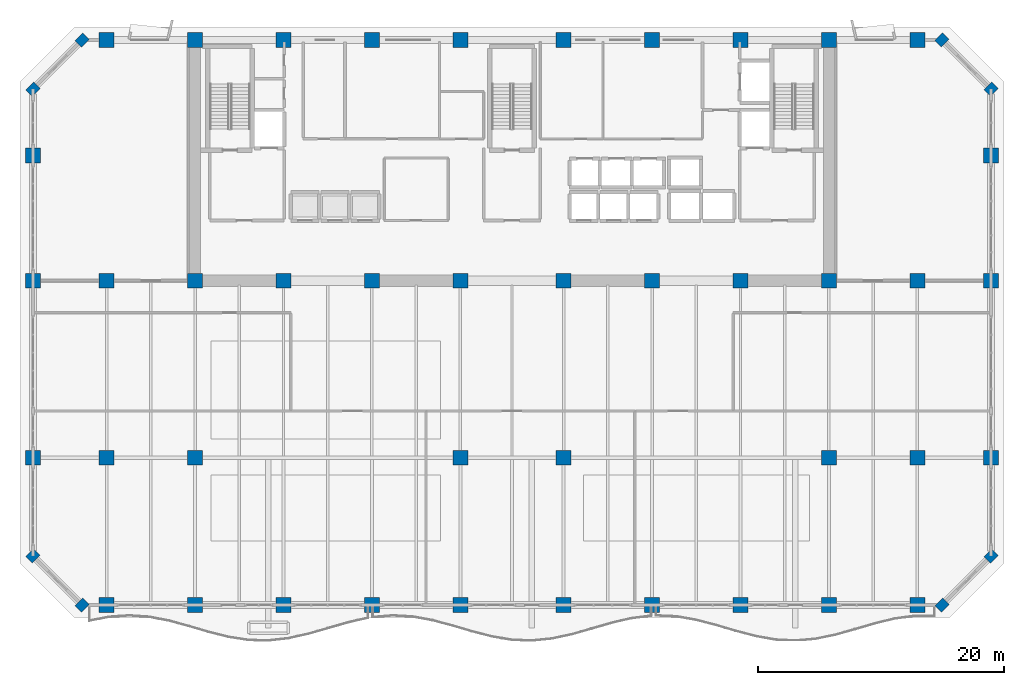
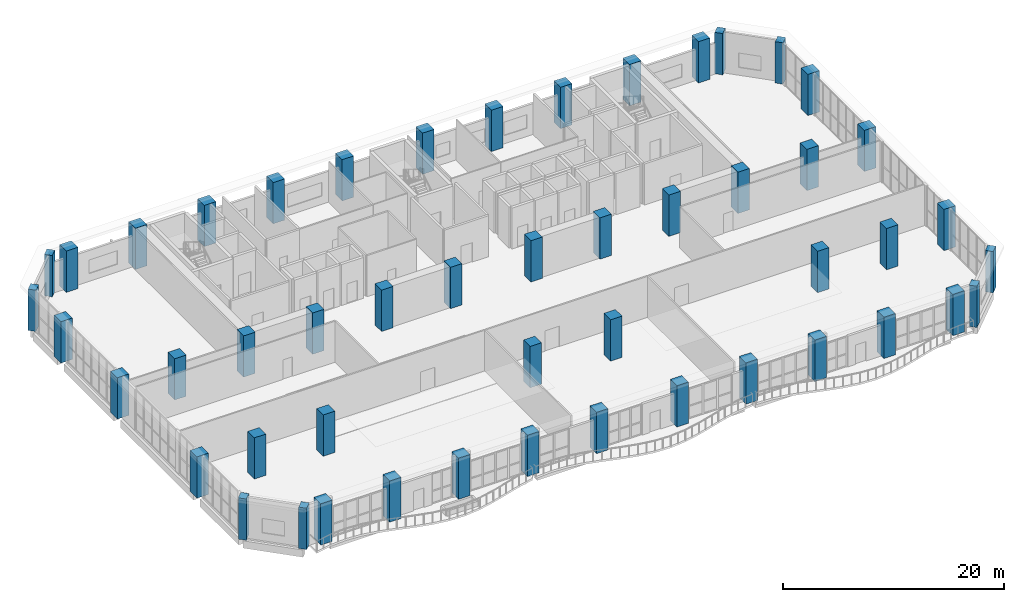
# One storey, part 1 of 37: 50 columns.
"""IFC4 building model written with IfcOpenShell, lengths in metres."""

import ifcopenshell
import ifcopenshell.guid

model = None  # the IFC model being written
_history = None  # IfcOwnerHistory: only IFC2X3 demands one
_inside = {}  # id of a spatial element -> (the spatial element, [elements in it])
_under = {}  # id of a project, library or spatial element -> (it, [spatial elements below it])
_declared = {}  # id of a project -> (the project, [libraries it declares])
_typed = {}  # id of a type object -> (the type object, [elements of that type])
_made_of = {}  # id of a material, layer set ... -> (it, [elements and type objects made of it])


def new_model(schema):
    """Start an empty IFC model of exactly this schema.

    Asked for "IFC4X3", IfcOpenShell would pick the latest addendum, in which some entities
    have other attributes; the version numbers below select the first issue.
    IFC2X3 requires an IfcOwnerHistory on every rooted entity: one is made here for all.
    """
    global model, _history
    if schema == "IFC4X3":
        model = ifcopenshell.file(schema_version=(4, 3, 0, 0))
    else:
        model = ifcopenshell.file(schema=schema)
    _inside.clear()
    _under.clear()
    _declared.clear()
    _typed.clear()
    _made_of.clear()
    _history = None
    if model.schema == "IFC2X3":
        org = make("IfcOrganization", Name="unknown")
        user = make(
            "IfcPersonAndOrganization",
            ThePerson=make("IfcPerson", FamilyName="unknown"),
            TheOrganization=org,
        )
        app = make(
            "IfcApplication",
            ApplicationDeveloper=org,
            Version="unknown",
            ApplicationFullName="unknown",
            ApplicationIdentifier="unknown",
        )
        _history = make(
            "IfcOwnerHistory",
            OwningUser=user,
            OwningApplication=app,
            ChangeAction="ADDED",
            CreationDate=0,
        )
    return model


def make(cls, **values):
    """One entity of the class cls with the attributes given. An attribute that is None is left unset."""
    return model.create_entity(
        cls, **{name: value for name, value in values.items() if value is not None}
    )


def rooted(cls, **values):
    """An entity with a GlobalId (a new one), such as an element, a storey or a relation."""
    return make(cls, GlobalId=ifcopenshell.guid.new(), OwnerHistory=_history, **values)


def si_unit(unit_type, name, prefix=None):
    """IfcSIUnit, for example si_unit("LENGTHUNIT", "METRE", prefix="MILLI")."""
    return make("IfcSIUnit", UnitType=unit_type, Prefix=prefix, Name=name)


def assignment(units):
    """IfcUnitAssignment: the units of a project."""
    return None if units is None else make("IfcUnitAssignment", Units=units)


def point(xyz):
    """IfcCartesianPoint."""
    return None if xyz is None else make("IfcCartesianPoint", Coordinates=xyz)


def direction(xyz):
    """IfcDirection."""
    return None if xyz is None else make("IfcDirection", DirectionRatios=xyz)


def frame(location, z_axis=None, x_axis=None):
    """IfcAxis2Placement3D, a coordinate frame: its origin and axes. An axis left out is left unset."""
    return make(
        "IfcAxis2Placement3D",
        Location=point(location),
        Axis=direction(z_axis),
        RefDirection=direction(x_axis),
    )


def frame_2d(location, x_axis=None):
    """IfcAxis2Placement2D, a coordinate frame in the plane: its origin and x axis."""
    return make(
        "IfcAxis2Placement2D", Location=point(location), RefDirection=direction(x_axis)
    )


def origin():
    """The frame at (0, 0, 0) with its axes left unset."""
    return frame((0.0, 0.0, 0.0))


def origin_2d():
    """The frame at (0, 0) in the plane with its x axis left unset."""
    return frame_2d((0.0, 0.0))


def place(relative_to, where):
    """IfcLocalPlacement: puts the frame where relative to a parent placement (None: the world)."""
    return make(
        "IfcLocalPlacement", PlacementRelTo=relative_to, RelativePlacement=where
    )


def context(
    kind, dimensions, precision=None, world=None, true_north=None, identifier=None
):
    """IfcGeometricRepresentationContext, for example the 3D "Model" context."""
    return make(
        "IfcGeometricRepresentationContext",
        ContextIdentifier=identifier,
        ContextType=kind,
        CoordinateSpaceDimension=dimensions,
        Precision=precision,
        WorldCoordinateSystem=world,
        TrueNorth=true_north,
    )


def subcontext(parent, identifier, kind, view, scale=None):
    """IfcGeometricRepresentationSubContext, for example "Body" below "Model"."""
    return make(
        "IfcGeometricRepresentationSubContext",
        ContextIdentifier=identifier,
        ContextType=kind,
        ParentContext=parent,
        TargetScale=scale,
        TargetView=view,
    )


def project(units=None, contexts=None):
    """IfcProject with its units and contexts."""
    return rooted(
        "IfcProject",
        Name="project",
        RepresentationContexts=contexts,
        UnitsInContext=assignment(units),
    )


def spatial(cls, under=None, at=None, **own):
    """A site, building, storey or space (cls), placed at a placement, below another one or the project."""
    s = rooted(cls, ObjectPlacement=at, **own)
    if under is not None:
        _under.setdefault(under.id(), (under, []))[1].append(s)
    return s


def profile(cls, at=None, kind="AREA", **sizes):
    """A parametric profile (cls). Its sizes go by their IFC names, for example OverallWidth=200.0."""
    return make(cls, ProfileType=kind, Position=at, **sizes)


def rectangle(**sizes):
    """IfcRectangleProfileDef."""
    return profile("IfcRectangleProfileDef", **sizes)


def extrude(swept, where, along, depth):
    """IfcExtrudedAreaSolid: the profile swept, set in the frame where, extruded along a direction by depth."""
    return make(
        "IfcExtrudedAreaSolid",
        SweptArea=swept,
        Position=where,
        ExtrudedDirection=direction(along),
        Depth=depth,
    )


def shape(context_of_items, identifier, shape_type, items):
    """IfcShapeRepresentation: the items that make up one representation, for example the "Body"."""
    return make(
        "IfcShapeRepresentation",
        ContextOfItems=context_of_items,
        RepresentationIdentifier=identifier,
        RepresentationType=shape_type,
        Items=items,
    )


def material(Name=None, Category=None):
    """IfcMaterial."""
    return make("IfcMaterial", Name=Name, Category=Category)


def material_profile(
    of_material, cross_section, Name=None, Category=None, Priority=None
):
    """IfcMaterialProfile: a cross section and its material."""
    return make(
        "IfcMaterialProfile",
        Name=Name,
        Material=of_material,
        Profile=cross_section,
        Priority=Priority,
        Category=Category,
    )


def profile_set(profiles, Name=None, composite=None):
    """IfcMaterialProfileSet."""
    return make(
        "IfcMaterialProfileSet",
        Name=Name,
        MaterialProfiles=profiles,
        CompositeProfile=composite,
    )


def made_of(thing, what):
    """Note that an element or type object is made of a material, layer set ...; save() writes the relation."""
    if what is not None:
        _made_of.setdefault(what.id(), (what, []))[1].append(thing)
    return thing


def type_object(cls, material=None, **own):
    """A type object (cls), such as IfcWallType, which elements share."""
    return made_of(rooted(cls, **own), material)


def element(
    cls,
    number,
    at=None,
    inside=None,
    cuts=None,
    type_object=None,
    material=None,
    context=None,
    identifier="Body",
    shape_type=None,
    held_by="IfcProductDefinitionShape",
    body=None,
    shapes=None,
    **own,
):
    """One element of the class cls, such as IfcWall. Its Tag is "e" and its number.

    at: its placement. inside: the storey or other place that contains it. cuts: it is an
    opening in that element (IfcRelVoidsElement). A single representation is given by context,
    identifier, shape_type and body (its items); several are given by shapes. held_by: the class
    of the entity that holds the representations. save() writes the other relations.
    """
    e = rooted(cls, Tag="e%d" % number, ObjectPlacement=at, **own)
    if body is not None:
        shapes = [shape(context, identifier, shape_type, body)]
    if shapes is not None:
        e.Representation = make(held_by, Representations=shapes)
    if inside is not None:
        _inside.setdefault(inside.id(), (inside, []))[1].append(e)
    if cuts is not None:
        rooted(
            "IfcRelVoidsElement", RelatingBuildingElement=cuts, RelatedOpeningElement=e
        )
    if type_object is not None:
        _typed.setdefault(type_object.id(), (type_object, []))[1].append(e)
    return made_of(e, material)


def aggregate(whole, parts):
    """IfcRelAggregates: a whole, such as a stair, and the parts it consists of."""
    return rooted("IfcRelAggregates", RelatingObject=whole, RelatedObjects=parts)


def save(model, path):
    """Write the relations noted so far, then the file.

    IfcRelAggregates (storeys below a building ...), IfcRelContainedInSpatialStructure (elements
    in a storey), IfcRelDefinesByType, IfcRelAssociatesMaterial and IfcRelDeclares: one each for
    every whole, place, type object, material and project.
    """
    for whole, parts in _under.values():
        aggregate(whole, parts)
    for where, things in _inside.values():
        rooted(
            "IfcRelContainedInSpatialStructure",
            RelatedElements=things,
            RelatingStructure=where,
        )
    for kind, things in _typed.values():
        rooted("IfcRelDefinesByType", RelatedObjects=things, RelatingType=kind)
    for what, things in _made_of.values():
        rooted("IfcRelAssociatesMaterial", RelatedObjects=things, RelatingMaterial=what)
    for by, libraries in _declared.values():
        rooted("IfcRelDeclares", RelatingContext=by, RelatedDefinitions=libraries)
    model.write(path)


model = new_model("IFC4")

# Units and contexts
model_context = context("Model", 3, precision=1e-05, world=origin(), true_north=direction((0.0, 1.0)))
body_context = subcontext(model_context, "Body", "Model", "MODEL_VIEW")
ifc_project = project(units=[si_unit("LENGTHUNIT", "METRE"), si_unit("AREAUNIT", "SQUARE_METRE"), si_unit("VOLUMEUNIT", "CUBIC_METRE"), si_unit("PLANEANGLEUNIT", "RADIAN"), si_unit("MASSUNIT", "GRAM", prefix="KILO")], contexts=[model_context])

# Site, building, storey
site_placement = place(None, origin())
site = spatial("IfcSite", under=ifc_project, at=site_placement, CompositionType="ELEMENT")
building_placement = place(site_placement, origin())
building = spatial("IfcBuilding", under=site, at=building_placement, Name="Kaelvorn Grand Hotel", CompositionType="ELEMENT")
storey_placement = place(building_placement, frame((0.0, 0.0, 224.35009765625)))
storey = spatial("IfcBuildingStorey", under=building, at=storey_placement, Name="L55", CompositionType="ELEMENT", Elevation=224.35009765625)

# Columns
ifc_material = material(Name="Concrete C60/75", Category="concrete")
ifc_material_profile_1 = material_profile(ifc_material, rectangle(XDim=0.89990234375, YDim=0.75, at=origin_2d()), Name="RC PILASTER 900x750")
ifc_profile_set_1 = profile_set([ifc_material_profile_1], Name="Concrete C60/75")
column_type_1 = type_object("IfcColumnType", Name="COL-PIL-900x750-C60", PredefinedType="PILASTER", material=ifc_profile_set_1)
for number, where, z_axis, x_axis, name in (
    (1, (7.0, 3.0, 0.0), (0.0, 0.0, 1.0), (0.707106781187, 0.707106781187, 0.0), "L55 Structural Column CH-01"),
    (2, (77.0, 3.0, 0.0), (0.0, 0.0, 1.0), (0.707106781187, 0.707106781187, 0.0), "L55 Structural Column CH-02"),
    (3, (81.0, 7.0, 0.0), (0.0, 0.0, 1.0), (0.707106781187, 0.707106781187, 0.0), "L55 Structural Column CH-03"),
    (4, (81.0, 45.0, 0.0), (0.0, 0.0, 1.0), (0.707106781187, 0.707106781187, 0.0), "L55 Structural Column CH-04"),
    (5, (77.0, 49.0, 0.0), (0.0, 0.0, 1.0), (0.707106781187, 0.707106781187, 0.0), "L55 Structural Column CH-05"),
    (6, (7.0, 49.0, 0.0), (0.0, 0.0, 1.0), (0.707106781187, 0.707106781187, 0.0), "L55 Structural Column CH-06"),
    (7, (3.0, 45.0, 0.0), (0.0, 0.0, 1.0), (0.707106781187, 0.707106781187, 0.0), "L55 Structural Column CH-07"),
    (8, (3.0, 7.0, 0.0), (0.0, 0.0, 1.0), (0.707106781187, 0.707106781187, 0.0), "L55 Structural Column CH-08"),
):
    element("IfcColumn", number, at=place(storey_placement, frame(where, z_axis=z_axis, x_axis=x_axis)), inside=storey, type_object=column_type_1, Name=name, PredefinedType="PILASTER", context=body_context, shape_type="SweptSolid", body=[
        extrude(rectangle(XDim=0.89990234375, YDim=0.75, at=origin_2d()), origin(), (0.0, 0.0, 1.0), 4.559814453125),
    ])
ifc_material_profile_2 = material_profile(ifc_material, rectangle(XDim=1.199951171875, YDim=1.199951171875, at=origin_2d()), Name="RC COL 1200x1200")
ifc_profile_set_2 = profile_set([ifc_material_profile_2], Name="Concrete C60/75")
column_type_2 = type_object("IfcColumnType", Name="COL-RC-1200-C60", PredefinedType="COLUMN", material=ifc_profile_set_2)
for number, where, z_axis, x_axis, name in (
    (9, (9.0, 3.0, 0.0), (0.0, 0.0, 1.0), (1.0, 0.0, 0.0), "L55 Structural Column S-01"),
    (10, (16.199951171875, 3.0, 0.0), (0.0, 0.0, 1.0), (1.0, 0.0, 0.0), "L55 Structural Column S-02"),
    (11, (23.39990234375, 3.0, 0.0), (0.0, 0.0, 1.0), (1.0, 0.0, 0.0), "L55 Structural Column S-03"),
    (12, (30.60009765625, 3.0, 0.0), (0.0, 0.0, 1.0), (1.0, 0.0, 0.0), "L55 Structural Column S-04"),
    (13, (37.800048828125, 3.0, 0.0), (0.0, 0.0, 1.0), (1.0, 0.0, 0.0), "L55 Structural Column S-05"),
    (14, (46.199951171875, 3.0, 0.0), (0.0, 0.0, 1.0), (1.0, 0.0, 0.0), "L55 Structural Column S-06"),
    (15, (53.39990234375, 3.0, 0.0), (0.0, 0.0, 1.0), (1.0, 0.0, 0.0), "L55 Structural Column S-07"),
    (16, (60.60009765625, 3.0, 0.0), (0.0, 0.0, 1.0), (1.0, 0.0, 0.0), "L55 Structural Column S-08"),
    (17, (67.800048828125, 3.0, 0.0), (0.0, 0.0, 1.0), (1.0, 0.0, 0.0), "L55 Structural Column S-09"),
    (18, (75.0, 3.0, 0.0), (0.0, 0.0, 1.0), (1.0, 0.0, 0.0), "L55 Structural Column S-10"),
    (19, (3.0, 15.0, 0.0), (0.0, 0.0, 1.0), (1.0, 0.0, 0.0), "L55 Structural Column W-01"),
    (20, (81.0, 15.0, 0.0), (0.0, 0.0, 1.0), (1.0, 0.0, 0.0), "L55 Structural Column E-01"),
    (21, (3.0, 29.39990234375, 0.0), (0.0, 0.0, 1.0), (1.0, 0.0, 0.0), "L55 Structural Column W-02"),
    (22, (81.0, 29.39990234375, 0.0), (0.0, 0.0, 1.0), (1.0, 0.0, 0.0), "L55 Structural Column E-02"),
    (23, (3.0, 39.60009765625, 0.0), (0.0, 0.0, 1.0), (1.0, 0.0, 0.0), "L55 Structural Column W-03"),
    (24, (81.0, 39.60009765625, 0.0), (0.0, 0.0, 1.0), (1.0, 0.0, 0.0), "L55 Structural Column E-03"),
    (25, (9.0, 15.0, 0.0), (0.0, 0.0, 1.0), (1.0, 0.0, 0.0), "L55 Structural Column M-01"),
    (26, (16.199951171875, 15.0, 0.0), (0.0, 0.0, 1.0), (1.0, 0.0, 0.0), "L55 Structural Column M-02"),
    (27, (37.800048828125, 15.0, 0.0), (0.0, 0.0, 1.0), (1.0, 0.0, 0.0), "L55 Structural Column M-03"),
    (28, (46.199951171875, 15.0, 0.0), (0.0, 0.0, 1.0), (1.0, 0.0, 0.0), "L55 Structural Column M-04"),
    (29, (67.800048828125, 15.0, 0.0), (0.0, 0.0, 1.0), (1.0, 0.0, 0.0), "L55 Structural Column M-05"),
    (30, (75.0, 15.0, 0.0), (0.0, 0.0, 1.0), (1.0, 0.0, 0.0), "L55 Structural Column M-06"),
    (31, (9.0, 29.39990234375, 0.0), (0.0, 0.0, 1.0), (1.0, 0.0, 0.0), "L55 Structural Column CR1-01"),
    (32, (9.0, 49.0, 0.0), (0.0, 0.0, 1.0), (1.0, 0.0, 0.0), "L55 Structural Column CR2-01"),
    (33, (16.199951171875, 29.39990234375, 0.0), (0.0, 0.0, 1.0), (1.0, 0.0, 0.0), "L55 Structural Column CR1-02"),
    (34, (16.199951171875, 49.0, 0.0), (0.0, 0.0, 1.0), (1.0, 0.0, 0.0), "L55 Structural Column CR2-02"),
    (35, (23.39990234375, 29.39990234375, 0.0), (0.0, 0.0, 1.0), (1.0, 0.0, 0.0), "L55 Structural Column CR1-03"),
    (36, (23.39990234375, 49.0, 0.0), (0.0, 0.0, 1.0), (1.0, 0.0, 0.0), "L55 Structural Column CR2-03"),
    (37, (30.60009765625, 29.39990234375, 0.0), (0.0, 0.0, 1.0), (1.0, 0.0, 0.0), "L55 Structural Column CR1-04"),
    (38, (30.60009765625, 49.0, 0.0), (0.0, 0.0, 1.0), (1.0, 0.0, 0.0), "L55 Structural Column CR2-04"),
    (39, (37.800048828125, 29.39990234375, 0.0), (0.0, 0.0, 1.0), (1.0, 0.0, 0.0), "L55 Structural Column CR1-05"),
    (40, (37.800048828125, 49.0, 0.0), (0.0, 0.0, 1.0), (1.0, 0.0, 0.0), "L55 Structural Column CR2-05"),
    (41, (46.199951171875, 29.39990234375, 0.0), (0.0, 0.0, 1.0), (1.0, 0.0, 0.0), "L55 Structural Column CR1-06"),
    (42, (46.199951171875, 49.0, 0.0), (0.0, 0.0, 1.0), (1.0, 0.0, 0.0), "L55 Structural Column CR2-06"),
    (43, (53.39990234375, 29.39990234375, 0.0), (0.0, 0.0, 1.0), (1.0, 0.0, 0.0), "L55 Structural Column CR1-07"),
    (44, (53.39990234375, 49.0, 0.0), (0.0, 0.0, 1.0), (1.0, 0.0, 0.0), "L55 Structural Column CR2-07"),
    (45, (60.60009765625, 29.39990234375, 0.0), (0.0, 0.0, 1.0), (1.0, 0.0, 0.0), "L55 Structural Column CR1-08"),
    (46, (60.60009765625, 49.0, 0.0), (0.0, 0.0, 1.0), (1.0, 0.0, 0.0), "L55 Structural Column CR2-08"),
    (47, (67.800048828125, 29.39990234375, 0.0), (0.0, 0.0, 1.0), (1.0, 0.0, 0.0), "L55 Structural Column CR1-09"),
    (48, (67.800048828125, 49.0, 0.0), (0.0, 0.0, 1.0), (1.0, 0.0, 0.0), "L55 Structural Column CR2-09"),
    (49, (75.0, 29.39990234375, 0.0), (0.0, 0.0, 1.0), (1.0, 0.0, 0.0), "L55 Structural Column CR1-10"),
    (50, (75.0, 49.0, 0.0), (0.0, 0.0, 1.0), (1.0, 0.0, 0.0), "L55 Structural Column CR2-10"),
):
    element("IfcColumn", number, at=place(storey_placement, frame(where, z_axis=z_axis, x_axis=x_axis)), inside=storey, type_object=column_type_2, Name=name, PredefinedType="COLUMN", context=body_context, shape_type="SweptSolid", body=[
        extrude(rectangle(XDim=1.199951171875, YDim=1.199951171875, at=origin_2d()), origin(), (0.0, 0.0, 1.0), 4.559814453125),
    ])

save(model, "model.ifc")
